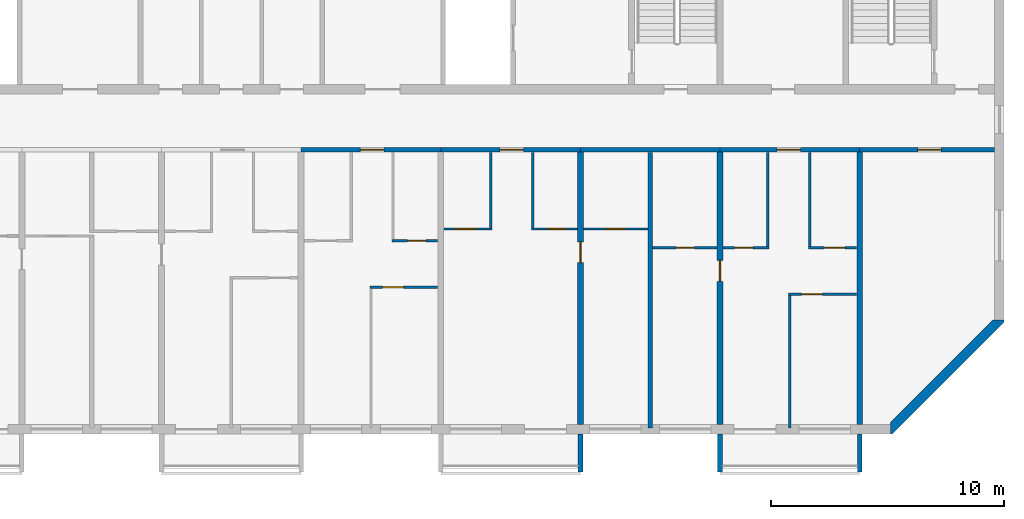
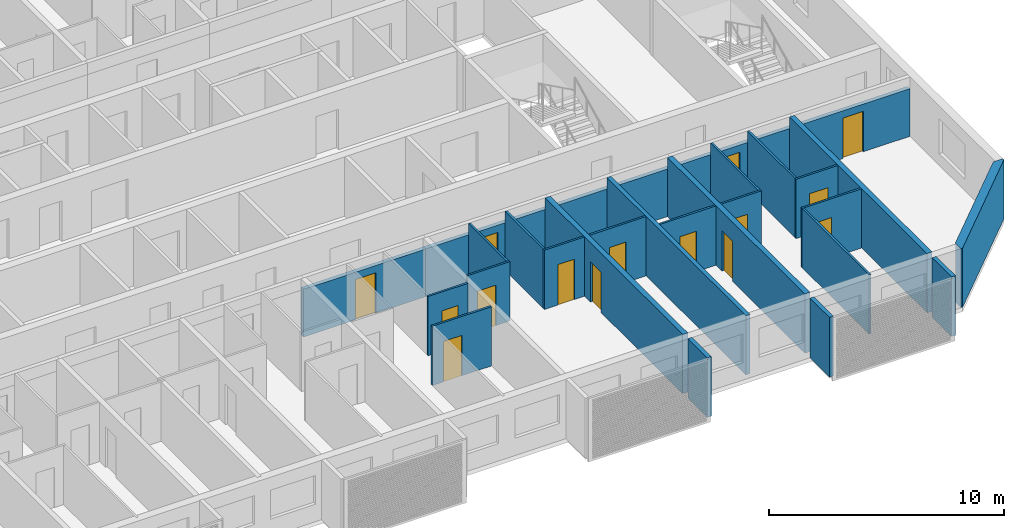
# One storey, part 5 of 27: 27 walls, 15 doors, 15 openings.
"""IFC4 building model written with IfcOpenShell, lengths in metres."""

from ifc_helpers import new_model, si_unit, direction, frame, frame_2d, origin, place, context, subcontext, project, spatial, polyline, rectangle, outline, extrude, source, transform, mapped, material, layer, layer_set, type_object, element, fill, save


model = new_model("IFC4")

# Units and contexts
model_context = context("Model", 3, precision=1e-05, world=origin(), true_north=direction((0.0, 1.0)))
body_context = subcontext(model_context, "Body", "Model", "MODEL_VIEW")
ifc_project = project(units=[si_unit("LENGTHUNIT", "METRE"), si_unit("AREAUNIT", "SQUARE_METRE"), si_unit("VOLUMEUNIT", "CUBIC_METRE"), si_unit("PLANEANGLEUNIT", "RADIAN"), si_unit("MASSUNIT", "GRAM", prefix="KILO")], contexts=[model_context])

# Site, building, storey
site_placement = place(None, origin())
site = spatial("IfcSite", under=ifc_project, at=site_placement, CompositionType="ELEMENT")
building_placement = place(site_placement, origin())
building = spatial("IfcBuilding", under=site, at=building_placement, Name="Poui Terraces", CompositionType="ELEMENT")
storey_placement = place(building_placement, frame((0.0, 0.0, 195.0)))
storey = spatial("IfcBuildingStorey", under=building, at=storey_placement, Name="L54", CompositionType="ELEMENT", Elevation=195.0)

# Wall, opening, door
ifc_material_1 = material(Name="Concrete 50 MPa", Category="concrete")
ifc_layer_1 = layer(ifc_material_1, 0.199951171875)
ifc_layer_set_1 = layer_set([ifc_layer_1], Name="Concrete 50 MPa")
wall_type_1 = type_object("IfcWallType", Name="CORRIDOR WALL 200 50MPa", PredefinedType="SHEAR", material=ifc_layer_set_1)
wall_1_placement = place(storey_placement, frame((54.0, 12.0, 0.0), z_axis=(0.0, 0.0, 1.0), x_axis=(1.0, 0.0, 0.0)))
wall_1 = element("IfcWall", 1, at=wall_1_placement, inside=storey, type_object=wall_type_1, Name="CORRIDOR WALL LINE B BAY 7", PredefinedType="SHEAR", context=body_context, shape_type="SweptSolid", body=[
    extrude(rectangle(XDim=6.0, YDim=0.199951171875, at=frame_2d((3.0, 0.0))), origin(), (0.0, 0.0, 1.0), 2.47998046875),
])
opening_1_placement = place(wall_1_placement, frame((2.550048828125, 0.0, 0.0)))
opening_1 = element("IfcOpeningElement", 2, at=opening_1_placement, cuts=wall_1, Name="Opening FD30S", PredefinedType="OPENING", context=body_context, shape_type="SweptSolid", body=[
    extrude(rectangle(XDim=1.0, YDim=2.10009765625, at=frame_2d((0.5, 1.050048828125))), frame((0.0, 0.10986328125, 0.0), z_axis=(0.0, -1.0, 0.0), x_axis=(1.0, 0.0, 0.0)), (0.0, 0.0, 1.0), 0.219970703125),
])
ifc_material_2 = material(Name="Steel fire door", Category="steel")
door_type_1 = type_object("IfcDoorType", Name="FLAT ENTRANCE DOOR 1000 X 2100", OperationType="NOTDEFINED", PredefinedType="DOOR", material=ifc_material_2)
door_1_placement = place(opening_1_placement, frame((1.0, 0.0, 0.0), z_axis=(0.0, 0.0, 1.0), x_axis=(-1.0, 0.0, 0.0)))
door_1 = element("IfcDoor", 3, at=door_1_placement, inside=storey, type_object=door_type_1, Name="FLAT ENTRANCE DOOR 084", OperationType="SINGLE_SWING_LEFT", OverallHeight=2.10009765625, OverallWidth=1.0, PredefinedType="DOOR", context=body_context, shape_type="SweptSolid", body=[
    extrude(rectangle(XDim=1.0, YDim=2.10009765625, at=frame_2d((0.5, 1.050048828125))), frame((0.0, 0.02490234375, 0.0), z_axis=(0.0, -1.0, 0.0), x_axis=(1.0, 0.0, 0.0)), (0.0, 0.0, 1.0), 0.050048828125),
])
fill(opening_1, door_1)

wall_2_placement = place(storey_placement, frame((60.0, 12.0, 0.0), z_axis=(0.0, 0.0, 1.0), x_axis=(1.0, 0.0, 0.0)))
wall_2 = element("IfcWall", 4, at=wall_2_placement, inside=storey, type_object=wall_type_1, Name="CORRIDOR WALL LINE B BAY 8", PredefinedType="SHEAR", context=body_context, shape_type="SweptSolid", body=[
    extrude(rectangle(XDim=6.0, YDim=0.199951171875, at=frame_2d((3.0, 0.0))), origin(), (0.0, 0.0, 1.0), 2.47998046875),
])
opening_2_placement = place(wall_2_placement, frame((2.550048828125, 0.0, 0.0)))
opening_2 = element("IfcOpeningElement", 5, at=opening_2_placement, cuts=wall_2, Name="Opening FD30S", PredefinedType="OPENING", context=body_context, shape_type="SweptSolid", body=[
    extrude(rectangle(XDim=1.0, YDim=2.10009765625, at=frame_2d((0.5, 1.050048828125))), frame((0.0, 0.10986328125, 0.0), z_axis=(0.0, -1.0, 0.0), x_axis=(1.0, 0.0, 0.0)), (0.0, 0.0, 1.0), 0.219970703125),
])
door_2_placement = place(opening_2_placement, frame((1.0, 0.0, 0.0), z_axis=(0.0, 0.0, 1.0), x_axis=(-1.0, 0.0, 0.0)))
door_2 = element("IfcDoor", 6, at=door_2_placement, inside=storey, type_object=door_type_1, Name="FLAT ENTRANCE DOOR 089", OperationType="SINGLE_SWING_LEFT", OverallHeight=2.10009765625, OverallWidth=1.0, PredefinedType="DOOR", context=body_context, shape_type="SweptSolid", body=[
    extrude(rectangle(XDim=1.0, YDim=2.10009765625, at=frame_2d((0.5, 1.050048828125))), frame((0.0, 0.02490234375, 0.0), z_axis=(0.0, -1.0, 0.0), x_axis=(1.0, 0.0, 0.0)), (0.0, 0.0, 1.0), 0.050048828125),
])
fill(opening_2, door_2)

# Wall
wall_3_placement = place(storey_placement, frame((66.0, 12.0, 0.0), z_axis=(0.0, 0.0, 1.0), x_axis=(1.0, 0.0, 0.0)))
element("IfcWall", 7, at=wall_3_placement, inside=storey, type_object=wall_type_1, Name="CORRIDOR WALL LINE B BAY 9", PredefinedType="SHEAR", context=body_context, shape_type="SweptSolid", body=[
    extrude(rectangle(XDim=6.0, YDim=0.199951171875, at=frame_2d((3.0, 0.0))), origin(), (0.0, 0.0, 1.0), 2.47998046875),
])

# Wall, opening, door
wall_4_placement = place(storey_placement, frame((72.0, 12.0, 0.0), z_axis=(0.0, 0.0, 1.0), x_axis=(1.0, 0.0, 0.0)))
wall_4 = element("IfcWall", 8, at=wall_4_placement, inside=storey, type_object=wall_type_1, Name="CORRIDOR WALL LINE B BAY 10", PredefinedType="SHEAR", context=body_context, shape_type="SweptSolid", body=[
    extrude(rectangle(XDim=6.0, YDim=0.199951171875, at=frame_2d((3.0, 0.0))), origin(), (0.0, 0.0, 1.0), 2.47998046875),
])
opening_3_placement = place(wall_4_placement, frame((2.449951171875, 0.0, 0.0)))
opening_3 = element("IfcOpeningElement", 9, at=opening_3_placement, cuts=wall_4, Name="Opening FD30S", PredefinedType="OPENING", context=body_context, shape_type="SweptSolid", body=[
    extrude(rectangle(XDim=1.0, YDim=2.10009765625, at=frame_2d((0.5, 1.050048828125))), frame((0.0, 0.10986328125, 0.0), z_axis=(0.0, -1.0, 0.0), x_axis=(1.0, 0.0, 0.0)), (0.0, 0.0, 1.0), 0.219970703125),
])
door_3_placement = place(opening_3_placement, frame((1.0, 0.0, 0.0), z_axis=(0.0, 0.0, 1.0), x_axis=(-1.0, 0.0, 0.0)))
door_3 = element("IfcDoor", 10, at=door_3_placement, inside=storey, type_object=door_type_1, Name="FLAT ENTRANCE DOOR 095", OperationType="SINGLE_SWING_RIGHT", OverallHeight=2.10009765625, OverallWidth=1.0, PredefinedType="DOOR", context=body_context, shape_type="SweptSolid", body=[
    extrude(rectangle(XDim=1.0, YDim=2.10009765625, at=frame_2d((0.5, 1.050048828125))), frame((0.0, 0.02490234375, 0.0), z_axis=(0.0, -1.0, 0.0), x_axis=(1.0, 0.0, 0.0)), (0.0, 0.0, 1.0), 0.050048828125),
])
fill(opening_3, door_3)

wall_5_placement = place(storey_placement, frame((78.0, 12.0, 0.0), z_axis=(0.0, 0.0, 1.0), x_axis=(1.0, 0.0, 0.0)))
wall_5 = element("IfcWall", 11, at=wall_5_placement, inside=storey, type_object=wall_type_1, Name="CORRIDOR WALL LINE B BAY 11", PredefinedType="SHEAR", context=body_context, shape_type="SweptSolid", body=[
    extrude(rectangle(XDim=5.800048828125, YDim=0.199951171875, at=frame_2d((2.89990234375, 0.0))), origin(), (0.0, 0.0, 1.0), 2.47998046875),
])
opening_4_placement = place(wall_5_placement, frame((2.5, 0.0, 0.0)))
opening_4 = element("IfcOpeningElement", 12, at=opening_4_placement, cuts=wall_5, Name="Opening D100", PredefinedType="OPENING", context=body_context, shape_type="SweptSolid", body=[
    extrude(rectangle(XDim=1.0, YDim=2.10009765625, at=frame_2d((0.5, 1.050048828125))), frame((0.0, 0.10986328125, 0.0), z_axis=(0.0, -1.0, 0.0), x_axis=(1.0, 0.0, 0.0)), (0.0, 0.0, 1.0), 0.219970703125),
])
ifc_material_3 = material(Name="Solid core timber door", Category="wood")
door_type_2 = type_object("IfcDoorType", Name="ACCESSIBLE INTERNAL DOOR 1000 X 2100", OperationType="NOTDEFINED", PredefinedType="DOOR", material=ifc_material_3)
door_4_placement = place(opening_4_placement, frame((1.0, 0.0, 0.0), z_axis=(0.0, 0.0, 1.0), x_axis=(-1.0, 0.0, 0.0)))
door_4 = element("IfcDoor", 13, at=door_4_placement, inside=storey, type_object=door_type_2, Name="ACCESSIBLE INTERNAL DOOR 098", OperationType="SINGLE_SWING_RIGHT", OverallHeight=2.10009765625, OverallWidth=1.0, PredefinedType="DOOR", context=body_context, shape_type="SweptSolid", body=[
    extrude(rectangle(XDim=1.0, YDim=2.10009765625, at=frame_2d((0.5, 1.050048828125))), frame((0.0, 0.02490234375, 0.0), z_axis=(0.0, -1.0, 0.0), x_axis=(1.0, 0.0, 0.0)), (0.0, 0.0, 1.0), 0.050048828125),
])
fill(opening_4, door_4)

ifc_layer_2 = layer(ifc_material_1, 0.25)
ifc_layer_set_2 = layer_set([ifc_layer_2], Name="Concrete 50 MPa")
wall_type_2 = type_object("IfcWallType", Name="CROSS WALL 250 50MPa", PredefinedType="SHEAR", material=ifc_layer_set_2)
wall_6_placement = place(storey_placement, frame((66.0, 0.199951171875, 0.0), z_axis=(0.0, 0.0, 1.0), x_axis=(0.0, 1.0, 0.0)))
wall_6 = element("IfcWall", 14, at=wall_6_placement, inside=storey, type_object=wall_type_2, Name="CROSS WALL LINE 12 SOUTH", PredefinedType="SHEAR", context=body_context, shape_type="SweptSolid", body=[
    extrude(rectangle(XDim=11.699951171875, YDim=0.25, at=frame_2d((5.85009765625, 0.0))), origin(), (0.0, 0.0, 1.0), 3.080078125),
])
opening_5_placement = place(wall_6_placement, frame((6.949951171875, 0.0, 0.0)))
opening_5 = element("IfcOpeningElement", 15, at=opening_5_placement, cuts=wall_6, Name="Opening D90", PredefinedType="OPENING", context=body_context, shape_type="SweptSolid", body=[
    extrude(rectangle(XDim=0.89990234375, YDim=2.10009765625, at=frame_2d((0.449951171875, 1.050048828125))), frame((0.0, 0.135009765625, 0.0), z_axis=(0.0, -1.0, 0.0), x_axis=(1.0, 0.0, 0.0)), (0.0, 0.0, 1.0), 0.27001953125),
])
door_type_3 = type_object("IfcDoorType", Name="INTERNAL DOOR 900 X 2100", OperationType="NOTDEFINED", PredefinedType="DOOR", material=ifc_material_3)
door_5_placement = place(opening_5_placement, frame((0.89990234375, 0.0, 0.0), z_axis=(0.0, 0.0, 1.0), x_axis=(-1.0, 0.0, 0.0)))
door_5 = element("IfcDoor", 16, at=door_5_placement, inside=storey, type_object=door_type_3, Name="INTERNAL DOOR 091", OperationType="SINGLE_SWING_LEFT", OverallHeight=2.10009765625, OverallWidth=0.89990234375, PredefinedType="DOOR", context=body_context, shape_type="SweptSolid", body=[
    extrude(rectangle(XDim=0.89990234375, YDim=2.10009765625, at=frame_2d((0.449951171875, 1.050048828125))), frame((0.0, 0.02490234375, 0.0), z_axis=(0.0, -1.0, 0.0), x_axis=(1.0, 0.0, 0.0)), (0.0, 0.0, 1.0), 0.050048828125),
])
fill(opening_5, door_5)

wall_7_placement = place(storey_placement, frame((72.0, 0.199951171875, 0.0), z_axis=(0.0, 0.0, 1.0), x_axis=(0.0, 1.0, 0.0)))
wall_7 = element("IfcWall", 17, at=wall_7_placement, inside=storey, type_object=wall_type_2, Name="CROSS WALL LINE 13 SOUTH", PredefinedType="SHEAR", context=body_context, shape_type="SweptSolid", body=[
    extrude(rectangle(XDim=11.699951171875, YDim=0.25, at=frame_2d((5.85009765625, 0.0))), origin(), (0.0, 0.0, 1.0), 3.080078125),
])
opening_6_placement = place(wall_7_placement, frame((6.14990234375, 0.0, 0.0)))
opening_6 = element("IfcOpeningElement", 18, at=opening_6_placement, cuts=wall_7, Name="Opening D90", PredefinedType="OPENING", context=body_context, shape_type="SweptSolid", body=[
    extrude(rectangle(XDim=0.89990234375, YDim=2.10009765625, at=frame_2d((0.449951171875, 1.050048828125))), frame((0.0, 0.135009765625, 0.0), z_axis=(0.0, -1.0, 0.0), x_axis=(1.0, 0.0, 0.0)), (0.0, 0.0, 1.0), 0.27001953125),
])
door_6_placement = place(opening_6_placement, origin())
door_6 = element("IfcDoor", 19, at=door_6_placement, inside=storey, type_object=door_type_3, Name="INTERNAL DOOR 093", OperationType="SINGLE_SWING_RIGHT", OverallHeight=2.10009765625, OverallWidth=0.89990234375, PredefinedType="DOOR", context=body_context, shape_type="SweptSolid", body=[
    extrude(rectangle(XDim=0.89990234375, YDim=2.10009765625, at=frame_2d((0.449951171875, 1.050048828125))), frame((0.0, 0.02490234375, 0.0), z_axis=(0.0, -1.0, 0.0), x_axis=(1.0, 0.0, 0.0)), (0.0, 0.0, 1.0), 0.050048828125),
])
fill(opening_6, door_6)

# Wall
wall_8_placement = place(storey_placement, frame((78.0, 0.199951171875, 0.0), z_axis=(0.0, 0.0, 1.0), x_axis=(0.0, 1.0, 0.0)))
element("IfcWall", 20, at=wall_8_placement, inside=storey, type_object=wall_type_2, Name="CROSS WALL LINE 14 SOUTH", PredefinedType="SHEAR", context=body_context, shape_type="SweptSolid", body=[
    extrude(rectangle(XDim=11.699951171875, YDim=0.25, at=frame_2d((5.85009765625, 0.0))), origin(), (0.0, 0.0, 1.0), 3.080078125),
])

# Wall, opening, door
ifc_material_4 = material(Name="Plasterboard partition")
ifc_layer_3 = layer(ifc_material_4, 0.10009765625)
ifc_layer_set_3 = layer_set([ifc_layer_3], Name="Plasterboard partition")
wall_type_3 = type_object("IfcWallType", Name="FLAT PARTITION 100", PredefinedType="PARTITIONING", material=ifc_layer_set_3)
wall_9_placement = place(storey_placement, frame((74.949951171875, 5.800048828125, 0.0), z_axis=(0.0, 0.0, 1.0), x_axis=(1.0, 0.0, 0.0)))
wall_9 = element("IfcWall", 21, at=wall_9_placement, inside=storey, type_object=wall_type_3, Name="FLAT PARTITION 100", PredefinedType="PARTITIONING", context=body_context, shape_type="SweptSolid", body=[
    extrude(rectangle(XDim=2.9150390625, YDim=0.10009765625, at=frame_2d((1.45751953125, 0.0))), origin(), (0.0, 0.0, 1.0), 3.080078125),
])
opening_7_placement = place(wall_9_placement, frame((0.550048828125, 0.0, 0.0)))
opening_7 = element("IfcOpeningElement", 22, at=opening_7_placement, cuts=wall_9, Name="Opening D90", PredefinedType="OPENING", context=body_context, shape_type="SweptSolid", body=[
    extrude(rectangle(XDim=0.89990234375, YDim=2.10009765625, at=frame_2d((0.449951171875, 1.050048828125))), frame((0.0, 0.06005859375, 0.0), z_axis=(0.0, -1.0, 0.0), x_axis=(1.0, 0.0, 0.0)), (0.0, 0.0, 1.0), 0.1201171875),
])
door_7_placement = place(opening_7_placement, origin())
door_7 = element("IfcDoor", 23, at=door_7_placement, inside=storey, type_object=door_type_3, Name="INTERNAL DOOR 096", OperationType="SINGLE_SWING_RIGHT", OverallHeight=2.10009765625, OverallWidth=0.89990234375, PredefinedType="DOOR", context=body_context, shape_type="SweptSolid", body=[
    extrude(rectangle(XDim=0.89990234375, YDim=2.10009765625, at=frame_2d((0.449951171875, 1.050048828125))), frame((0.0, 0.02490234375, 0.0), z_axis=(0.0, -1.0, 0.0), x_axis=(1.0, 0.0, 0.0)), (0.0, 0.0, 1.0), 0.050048828125),
])
fill(opening_7, door_7)

wall_10_placement = place(storey_placement, frame((56.949951171875, 6.10009765625, 0.0), z_axis=(0.0, 0.0, 1.0), x_axis=(1.0, 0.0, 0.0)))
wall_10 = element("IfcWall", 24, at=wall_10_placement, inside=storey, type_object=wall_type_3, Name="FLAT PARTITION 100", PredefinedType="PARTITIONING", context=body_context, shape_type="SweptSolid", body=[
    extrude(rectangle(XDim=2.9150390625, YDim=0.10009765625, at=frame_2d((1.45751953125, 0.0))), origin(), (0.0, 0.0, 1.0), 3.080078125),
])
opening_8_placement = place(wall_10_placement, frame((0.550048828125, 0.0, 0.0)))
opening_8 = element("IfcOpeningElement", 25, at=opening_8_placement, cuts=wall_10, Name="Opening D90", PredefinedType="OPENING", context=body_context, shape_type="SweptSolid", body=[
    extrude(rectangle(XDim=0.89990234375, YDim=2.10009765625, at=frame_2d((0.449951171875, 1.050048828125))), frame((0.0, 0.06005859375, 0.0), z_axis=(0.0, -1.0, 0.0), x_axis=(1.0, 0.0, 0.0)), (0.0, 0.0, 1.0), 0.1201171875),
])
door_8_placement = place(opening_8_placement, origin())
door_8 = element("IfcDoor", 26, at=door_8_placement, inside=storey, type_object=door_type_3, Name="INTERNAL DOOR 085", OperationType="SINGLE_SWING_RIGHT", OverallHeight=2.10009765625, OverallWidth=0.89990234375, PredefinedType="DOOR", context=body_context, shape_type="SweptSolid", body=[
    extrude(rectangle(XDim=0.89990234375, YDim=2.10009765625, at=frame_2d((0.449951171875, 1.050048828125))), frame((0.0, 0.02490234375, 0.0), z_axis=(0.0, -1.0, 0.0), x_axis=(1.0, 0.0, 0.0)), (0.0, 0.0, 1.0), 0.050048828125),
])
fill(opening_8, door_8)

wall_11_placement = place(storey_placement, frame((69.10009765625, 7.800048828125, 0.0), z_axis=(0.0, 0.0, 1.0), x_axis=(1.0, 0.0, 0.0)))
wall_11 = element("IfcWall", 27, at=wall_11_placement, inside=storey, type_object=wall_type_3, Name="FLAT PARTITION 100", PredefinedType="PARTITIONING", context=body_context, shape_type="SweptSolid", body=[
    extrude(rectangle(XDim=2.764892578125, YDim=0.10009765625, at=frame_2d((1.38232421875, 0.0))), origin(), (0.0, 0.0, 1.0), 3.080078125),
])
opening_9_placement = place(wall_11_placement, frame((1.0, 0.0, 0.0)))
opening_9 = element("IfcOpeningElement", 28, at=opening_9_placement, cuts=wall_11, Name="Opening D80", PredefinedType="OPENING", context=body_context, shape_type="SweptSolid", body=[
    extrude(rectangle(XDim=0.800048828125, YDim=2.10009765625, at=frame_2d((0.39990234375, 1.050048828125))), frame((0.0, 0.06005859375, 0.0), z_axis=(0.0, -1.0, 0.0), x_axis=(1.0, 0.0, 0.0)), (0.0, 0.0, 1.0), 0.1201171875),
])
door_type_4 = type_object("IfcDoorType", Name="BATHROOM, LAUNDRY AND STORE DOOR 800 X 2100", OperationType="NOTDEFINED", PredefinedType="DOOR", material=ifc_material_3)
door_9_placement = place(opening_9_placement, origin())
door_9 = element("IfcDoor", 29, at=door_9_placement, inside=storey, type_object=door_type_4, Name="BATHROOM, LAUNDRY AND STORE DOOR 092", OperationType="SINGLE_SWING_RIGHT", OverallHeight=2.10009765625, OverallWidth=0.800048828125, PredefinedType="DOOR", context=body_context, shape_type="SweptSolid", body=[
    extrude(rectangle(XDim=0.800048828125, YDim=2.10009765625, at=frame_2d((0.39990234375, 1.050048828125))), frame((0.0, 0.02490234375, 0.0), z_axis=(0.0, -1.0, 0.0), x_axis=(1.0, 0.0, 0.0)), (0.0, 0.0, 1.0), 0.050048828125),
])
fill(opening_9, door_9)

wall_12_placement = place(storey_placement, frame((72.135009765625, 7.800048828125, 0.0), z_axis=(0.0, 0.0, 1.0), x_axis=(1.0, 0.0, 0.0)))
wall_12 = element("IfcWall", 30, at=wall_12_placement, inside=storey, type_object=wall_type_3, Name="FLAT PARTITION 100", PredefinedType="PARTITIONING", context=body_context, shape_type="SweptSolid", body=[
    extrude(rectangle(XDim=1.965087890625, YDim=0.10009765625, at=frame_2d((0.982421875, 0.0))), origin(), (0.0, 0.0, 1.0), 3.080078125),
])
opening_10_placement = place(wall_12_placement, frame((0.489990234375, 0.0, 0.0)))
opening_10 = element("IfcOpeningElement", 31, at=opening_10_placement, cuts=wall_12, Name="Opening D80", PredefinedType="OPENING", context=body_context, shape_type="SweptSolid", body=[
    extrude(rectangle(XDim=0.800048828125, YDim=2.10009765625, at=frame_2d((0.39990234375, 1.050048828125))), frame((0.0, 0.06005859375, 0.0), z_axis=(0.0, -1.0, 0.0), x_axis=(1.0, 0.0, 0.0)), (0.0, 0.0, 1.0), 0.1201171875),
])
door_10_placement = place(opening_10_placement, origin())
door_10 = element("IfcDoor", 32, at=door_10_placement, inside=storey, type_object=door_type_4, Name="BATHROOM, LAUNDRY AND STORE DOOR 094", OperationType="SINGLE_SWING_RIGHT", OverallHeight=2.10009765625, OverallWidth=0.800048828125, PredefinedType="DOOR", context=body_context, shape_type="SweptSolid", body=[
    extrude(rectangle(XDim=0.800048828125, YDim=2.10009765625, at=frame_2d((0.39990234375, 1.050048828125))), frame((0.0, 0.02490234375, 0.0), z_axis=(0.0, -1.0, 0.0), x_axis=(1.0, 0.0, 0.0)), (0.0, 0.0, 1.0), 0.050048828125),
])
fill(opening_10, door_10)

wall_13_placement = place(storey_placement, frame((75.800048828125, 7.800048828125, 0.0), z_axis=(0.0, 0.0, 1.0), x_axis=(1.0, 0.0, 0.0)))
wall_13 = element("IfcWall", 33, at=wall_13_placement, inside=storey, type_object=wall_type_3, Name="FLAT PARTITION 100", PredefinedType="PARTITIONING", context=body_context, shape_type="SweptSolid", body=[
    extrude(rectangle(XDim=2.06494140625, YDim=0.10009765625, at=frame_2d((1.032470703125, 0.0))), origin(), (0.0, 0.0, 1.0), 3.080078125),
])
opening_11_placement = place(wall_13_placement, frame((0.675048828125, 0.0, 0.0)))
opening_11 = element("IfcOpeningElement", 34, at=opening_11_placement, cuts=wall_13, Name="Opening D90", PredefinedType="OPENING", context=body_context, shape_type="SweptSolid", body=[
    extrude(rectangle(XDim=0.89990234375, YDim=2.10009765625, at=frame_2d((0.449951171875, 1.050048828125))), frame((0.0, 0.06005859375, 0.0), z_axis=(0.0, -1.0, 0.0), x_axis=(1.0, 0.0, 0.0)), (0.0, 0.0, 1.0), 0.1201171875),
])
door_11_placement = place(opening_11_placement, origin())
door_11 = element("IfcDoor", 35, at=door_11_placement, inside=storey, type_object=door_type_3, Name="INTERNAL DOOR 097", OperationType="SINGLE_SWING_LEFT", OverallHeight=2.10009765625, OverallWidth=0.89990234375, PredefinedType="DOOR", context=body_context, shape_type="SweptSolid", body=[
    extrude(rectangle(XDim=0.89990234375, YDim=2.10009765625, at=frame_2d((0.449951171875, 1.050048828125))), frame((0.0, 0.02490234375, 0.0), z_axis=(0.0, -1.0, 0.0), x_axis=(1.0, 0.0, 0.0)), (0.0, 0.0, 1.0), 0.050048828125),
])
fill(opening_11, door_11)

wall_14_placement = place(storey_placement, frame((57.89990234375, 8.10009765625, 0.0), z_axis=(0.0, 0.0, 1.0), x_axis=(1.0, 0.0, 0.0)))
wall_14 = element("IfcWall", 36, at=wall_14_placement, inside=storey, type_object=wall_type_3, Name="FLAT PARTITION 100", PredefinedType="PARTITIONING", context=body_context, shape_type="SweptSolid", body=[
    extrude(rectangle(XDim=1.965087890625, YDim=0.10009765625, at=frame_2d((0.982421875, 0.0))), origin(), (0.0, 0.0, 1.0), 3.080078125),
])
opening_12_placement = place(wall_14_placement, frame((0.675048828125, 0.0, 0.0)))
opening_12 = element("IfcOpeningElement", 37, at=opening_12_placement, cuts=wall_14, Name="Opening D80", PredefinedType="OPENING", context=body_context, shape_type="SweptSolid", body=[
    extrude(rectangle(XDim=0.800048828125, YDim=2.10009765625, at=frame_2d((0.39990234375, 1.050048828125))), frame((0.0, 0.06005859375, 0.0), z_axis=(0.0, -1.0, 0.0), x_axis=(1.0, 0.0, 0.0)), (0.0, 0.0, 1.0), 0.1201171875),
])
door_12_placement = place(opening_12_placement, origin())
door_12 = element("IfcDoor", 38, at=door_12_placement, inside=storey, type_object=door_type_4, Name="BATHROOM, LAUNDRY AND STORE DOOR 086", OperationType="SINGLE_SWING_LEFT", OverallHeight=2.10009765625, OverallWidth=0.800048828125, PredefinedType="DOOR", context=body_context, shape_type="SweptSolid", body=[
    extrude(rectangle(XDim=0.800048828125, YDim=2.10009765625, at=frame_2d((0.39990234375, 1.050048828125))), frame((0.0, 0.02490234375, 0.0), z_axis=(0.0, -1.0, 0.0), x_axis=(1.0, 0.0, 0.0)), (0.0, 0.0, 1.0), 0.050048828125),
])
fill(opening_12, door_12)

wall_15_placement = place(storey_placement, frame((60.135009765625, 8.60009765625, 0.0), z_axis=(0.0, 0.0, 1.0), x_axis=(1.0, 0.0, 0.0)))
wall_15 = element("IfcWall", 39, at=wall_15_placement, inside=storey, type_object=wall_type_3, Name="FLAT PARTITION 100", PredefinedType="PARTITIONING", context=body_context, shape_type="SweptSolid", body=[
    extrude(rectangle(XDim=2.06494140625, YDim=0.10009765625, at=frame_2d((1.032470703125, 0.0))), origin(), (0.0, 0.0, 1.0), 3.080078125),
])
opening_13_placement = place(wall_15_placement, frame((0.489990234375, 0.0, 0.0)))
opening_13 = element("IfcOpeningElement", 40, at=opening_13_placement, cuts=wall_15, Name="Opening D90", PredefinedType="OPENING", context=body_context, shape_type="SweptSolid", body=[
    extrude(rectangle(XDim=0.89990234375, YDim=2.10009765625, at=frame_2d((0.449951171875, 1.050048828125))), frame((0.0, 0.06005859375, 0.0), z_axis=(0.0, -1.0, 0.0), x_axis=(1.0, 0.0, 0.0)), (0.0, 0.0, 1.0), 0.1201171875),
])
door_13_placement = place(opening_13_placement, origin())
door_13 = element("IfcDoor", 41, at=door_13_placement, inside=storey, type_object=door_type_3, Name="INTERNAL DOOR 088", OperationType="SINGLE_SWING_RIGHT", OverallHeight=2.10009765625, OverallWidth=0.89990234375, PredefinedType="DOOR", context=body_context, shape_type="SweptSolid", body=[
    extrude(rectangle(XDim=0.89990234375, YDim=2.10009765625, at=frame_2d((0.449951171875, 1.050048828125))), frame((0.0, 0.02490234375, 0.0), z_axis=(0.0, -1.0, 0.0), x_axis=(1.0, 0.0, 0.0)), (0.0, 0.0, 1.0), 0.050048828125),
])
fill(opening_13, door_13)

wall_16_placement = place(storey_placement, frame((63.89990234375, 8.60009765625, 0.0), z_axis=(0.0, 0.0, 1.0), x_axis=(1.0, 0.0, 0.0)))
wall_16 = element("IfcWall", 42, at=wall_16_placement, inside=storey, type_object=wall_type_3, Name="FLAT PARTITION 100", PredefinedType="PARTITIONING", context=body_context, shape_type="SweptSolid", body=[
    extrude(rectangle(XDim=1.965087890625, YDim=0.10009765625, at=frame_2d((0.982421875, 0.0))), origin(), (0.0, 0.0, 1.0), 3.080078125),
])
opening_14_placement = place(wall_16_placement, frame((0.675048828125, 0.0, 0.0)))
opening_14 = element("IfcOpeningElement", 43, at=opening_14_placement, cuts=wall_16, Name="Opening D80", PredefinedType="OPENING", context=body_context, shape_type="SweptSolid", body=[
    extrude(rectangle(XDim=0.800048828125, YDim=2.10009765625, at=frame_2d((0.39990234375, 1.050048828125))), frame((0.0, 0.06005859375, 0.0), z_axis=(0.0, -1.0, 0.0), x_axis=(1.0, 0.0, 0.0)), (0.0, 0.0, 1.0), 0.1201171875),
])
door_14_placement = place(opening_14_placement, origin())
door_14 = element("IfcDoor", 44, at=door_14_placement, inside=storey, type_object=door_type_4, Name="BATHROOM, LAUNDRY AND STORE DOOR 090", OperationType="SINGLE_SWING_LEFT", OverallHeight=2.10009765625, OverallWidth=0.800048828125, PredefinedType="DOOR", context=body_context, shape_type="SweptSolid", body=[
    extrude(rectangle(XDim=0.800048828125, YDim=2.10009765625, at=frame_2d((0.39990234375, 1.050048828125))), frame((0.0, 0.02490234375, 0.0), z_axis=(0.0, -1.0, 0.0), x_axis=(1.0, 0.0, 0.0)), (0.0, 0.0, 1.0), 0.050048828125),
])
fill(opening_14, door_14)

wall_17_placement = place(storey_placement, frame((66.135009765625, 8.60009765625, 0.0), z_axis=(0.0, 0.0, 1.0), x_axis=(1.0, 0.0, 0.0)))
wall_17 = element("IfcWall", 45, at=wall_17_placement, inside=storey, type_object=wall_type_3, Name="FLAT PARTITION 100", PredefinedType="PARTITIONING", context=body_context, shape_type="SweptSolid", body=[
    extrude(rectangle(XDim=2.764892578125, YDim=0.10009765625, at=frame_2d((1.38232421875, 0.0))), origin(), (0.0, 0.0, 1.0), 3.080078125),
])
opening_15_placement = place(wall_17_placement, frame((0.965087890625, 0.0, 0.0)))
opening_15 = element("IfcOpeningElement", 46, at=opening_15_placement, cuts=wall_17, Name="Opening D80", PredefinedType="OPENING", context=body_context, shape_type="SweptSolid", body=[
    extrude(rectangle(XDim=0.800048828125, YDim=2.10009765625, at=frame_2d((0.39990234375, 1.050048828125))), frame((0.0, 0.06005859375, 0.0), z_axis=(0.0, -1.0, 0.0), x_axis=(1.0, 0.0, 0.0)), (0.0, 0.0, 1.0), 0.1201171875),
])
door_15_placement = place(opening_15_placement, origin())
door_15 = element("IfcDoor", 47, at=door_15_placement, inside=storey, type_object=door_type_4, Name="BATHROOM, LAUNDRY AND STORE DOOR 087", OperationType="SINGLE_SWING_LEFT", OverallHeight=2.10009765625, OverallWidth=0.800048828125, PredefinedType="DOOR", context=body_context, shape_type="SweptSolid", body=[
    extrude(rectangle(XDim=0.800048828125, YDim=2.10009765625, at=frame_2d((0.39990234375, 1.050048828125))), frame((0.0, 0.02490234375, 0.0), z_axis=(0.0, -1.0, 0.0), x_axis=(1.0, 0.0, 0.0)), (0.0, 0.0, 1.0), 0.050048828125),
])
fill(opening_15, door_15)

# Walls
for number, where, z_axis, x_axis, name in (
    (48, (62.14990234375, 8.64990234375, 0.0), (0.0, 0.0, 1.0), (0.0, 1.0, 0.0), "FLAT PARTITION 100"),
    (49, (63.949951171875, 8.64990234375, 0.0), (0.0, 0.0, 1.0), (0.0, 1.0, 0.0), "FLAT PARTITION 100"),
):
    element("IfcWall", number, at=place(storey_placement, frame(where, z_axis=z_axis, x_axis=x_axis)), inside=storey, type_object=wall_type_3, Name=name, PredefinedType="PARTITIONING", context=body_context, shape_type="SweptSolid", body=[
        extrude(rectangle(XDim=3.239990234375, YDim=0.10009765625, at=frame_2d((1.6201171875, 0.0))), origin(), (0.0, 0.0, 1.0), 3.080078125),
    ])
wall_18_placement = place(storey_placement, frame((74.050048828125, 7.85009765625, 0.0), z_axis=(0.0, 0.0, 1.0), x_axis=(0.0, 1.0, 0.0)))
element("IfcWall", 50, at=wall_18_placement, inside=storey, type_object=wall_type_3, Name="FLAT PARTITION 100", PredefinedType="PARTITIONING", context=body_context, shape_type="SweptSolid", body=[
    extrude(rectangle(XDim=4.039794921875, YDim=0.10009765625, at=frame_2d((2.02001953125, 0.0))), origin(), (0.0, 0.0, 1.0), 3.080078125),
])
wall_19_placement = place(storey_placement, frame((75.0, 0.06005859375, 0.0), z_axis=(0.0, 0.0, 1.0), x_axis=(0.0, 1.0, 0.0)))
element("IfcWall", 51, at=wall_19_placement, inside=storey, type_object=wall_type_3, Name="FLAT PARTITION 100", PredefinedType="PARTITIONING", context=body_context, shape_type="SweptSolid", body=[
    extrude(rectangle(XDim=5.68994140625, YDim=0.10009765625, at=frame_2d((2.844970703125, 0.0))), origin(), (0.0, 0.0, 1.0), 3.080078125),
])
wall_20_placement = place(storey_placement, frame((75.85009765625, 7.85009765625, 0.0), z_axis=(0.0, 0.0, 1.0), x_axis=(0.0, 1.0, 0.0)))
element("IfcWall", 52, at=wall_20_placement, inside=storey, type_object=wall_type_3, Name="FLAT PARTITION 100", PredefinedType="PARTITIONING", context=body_context, shape_type="SweptSolid", body=[
    extrude(rectangle(XDim=4.039794921875, YDim=0.10009765625, at=frame_2d((2.02001953125, 0.0))), origin(), (0.0, 0.0, 1.0), 3.080078125),
])
ifc_material_5 = material(Name="Fire-rated masonry wall", Category="masonry")
ifc_layer_4 = layer(ifc_material_5, 0.199951171875)
ifc_layer_set_4 = layer_set([ifc_layer_4], Name="Fire-rated masonry wall")
wall_type_4 = type_object("IfcWallType", Name="FLAT PARTY WALL 200", PredefinedType="PARTITIONING", material=ifc_layer_set_4)
wall_21_placement = place(storey_placement, frame((69.0, 0.06005859375, 0.0), z_axis=(0.0, 0.0, 1.0), x_axis=(0.0, 1.0, 0.0)))
element("IfcWall", 53, at=wall_21_placement, inside=storey, type_object=wall_type_4, Name="FLAT PARTY WALL 200", PredefinedType="PARTITIONING", context=body_context, shape_type="SweptSolid", body=[
    extrude(rectangle(XDim=11.829833984375, YDim=0.199951171875, at=frame_2d((5.9150390625, 0.0))), origin(), (0.0, 0.0, 1.0), 3.080078125),
])
ifc_material_6 = material(Name="Precast concrete 40 MPa", Category="concrete")
ifc_layer_5 = layer(ifc_material_6, 0.39990234375)
ifc_layer_set_5 = layer_set([ifc_layer_5], Name="Precast concrete 40 MPa")
wall_type_5 = type_object("IfcWallType", Name="TERRACOTTA CLAD CHAMFER WALL 400", PredefinedType="STANDARD", material=ifc_layer_set_5)
wall_22_placement = place(storey_placement, origin())
element("IfcWall", 54, at=wall_22_placement, inside=storey, type_object=wall_type_5, Name="CHAMFER WALL CH01", PredefinedType="STANDARD", context=body_context, shape_type="SweptSolid", body=[
    extrude(outline(polyline([(79.317138671875, -0.199951171875), (79.39990234375, -0.199951171875), (84.199951171875, 4.60009765625), (84.199951171875, 4.682861328125), (83.71728515625, 4.682861328125), (79.317138671875, 0.28271484375), (79.317138671875, -0.199951171875)])), origin(), (0.0, 0.0, 1.0), 3.080078125),
])
ifc_layer_6 = layer(ifc_material_6, 0.199951171875)
ifc_layer_set_6 = layer_set([ifc_layer_6], Name="Precast concrete 40 MPa")
wall_type_6 = type_object("IfcWallType", Name="REAR FIN 200", PredefinedType="STANDARD", material=ifc_layer_set_6)
shared_shape = source(origin(), body_context, "Body", "SweptSolid", [
    extrude(outline(polyline([(0.0, 0.0), (0.2001953125, 0.0), (0.2001953125, 1.650146484375), (0.0, 1.650146484375), (0.0, 0.0)])), origin(), (0.0, 0.0, 1.0), 3.10009765625),
])
for number, where, name in (
    (55, (65.89990234375, -1.85009765625, 0.0), "REAR FIN"),
    (56, (71.89990234375, -1.85009765625, 0.0), "REAR FIN"),
    (57, (77.89990234375, -1.85009765625, 0.0), "REAR FIN"),
):
    element("IfcWall", number, at=place(storey_placement, frame(where)), inside=storey, type_object=wall_type_6, Name=name, PredefinedType="STANDARD", context=body_context, shape_type="MappedRepresentation", body=[
        mapped(shared_shape, transform((0.0, 0.0, 0.0))),
    ])

save(model, "model.ifc")
